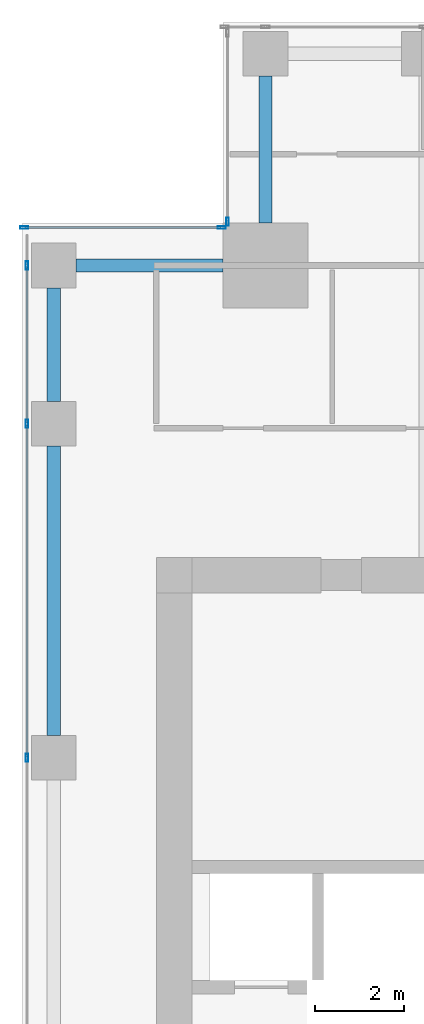
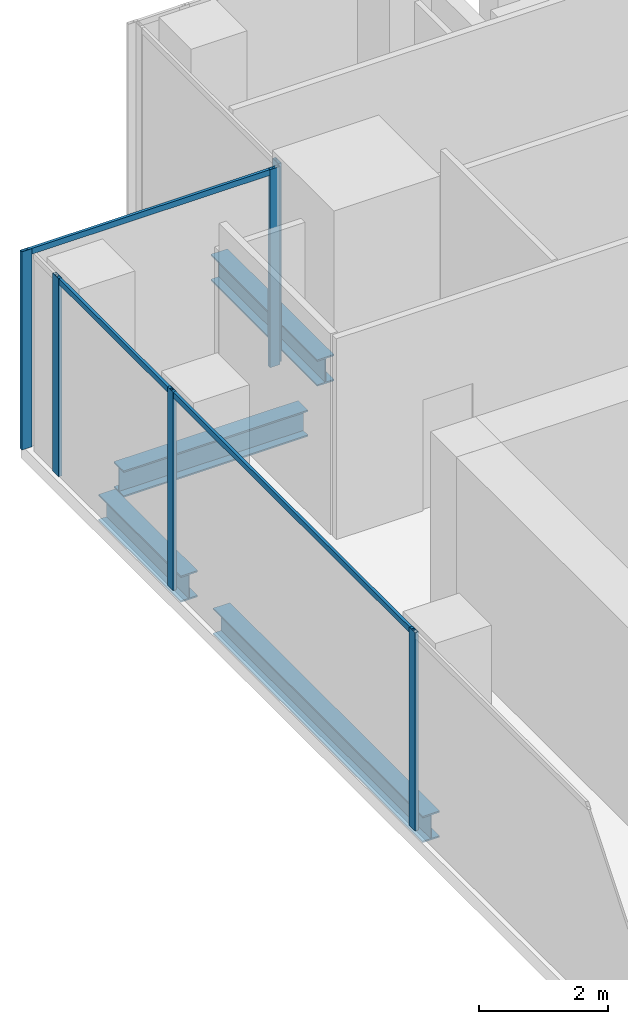
# One storey, part 19 of 38: 9 members, 4 beams, 3 elements without a shape of their own.
"""IFC4 building model written with IfcOpenShell, lengths in metres."""

from ifc_helpers import new_model, si_unit, direction, frame, origin, origin_2d, place, context, subcontext, project, spatial, hollow_rectangle, i_section, extrude, source, transform, mapped, material, material_profile, profile_set, type_object, element, aggregate, save


model = new_model("IFC4")

# Units and contexts
model_context = context("Model", 3, precision=1e-05, world=origin(), true_north=direction((0.0, 1.0)))
body_context = subcontext(model_context, "Body", "Model", "MODEL_VIEW")
ifc_project = project(units=[si_unit("LENGTHUNIT", "METRE"), si_unit("AREAUNIT", "SQUARE_METRE"), si_unit("VOLUMEUNIT", "CUBIC_METRE"), si_unit("PLANEANGLEUNIT", "RADIAN"), si_unit("MASSUNIT", "GRAM", prefix="KILO")], contexts=[model_context])

# Site, building, storey
site_placement = place(None, origin())
site = spatial("IfcSite", under=ifc_project, at=site_placement, CompositionType="ELEMENT")
building_placement = place(site_placement, origin())
building = spatial("IfcBuilding", under=site, at=building_placement, Name="Khomas Fold Tower", CompositionType="ELEMENT")
storey_placement = place(building_placement, frame((0.0, 0.0, 172.699951171875)))
storey = spatial("IfcBuildingStorey", under=building, at=storey_placement, Name="L37", CompositionType="ELEMENT", Elevation=172.699951171875)

# Beams
ifc_material_1 = material(Name="Steel S355", Category="steel")
ifc_material_profile_1 = material_profile(ifc_material_1, i_section(OverallWidth=0.300048828125, OverallDepth=0.5, WebThickness=0.014404296875, FlangeThickness=0.028076171875, at=origin_2d()), Name="HE 500 B")
ifc_profile_set_1 = profile_set([ifc_material_profile_1], Name="Steel S355")
beam_type = type_object("IfcBeamType", Name="HE 500 B spandrel SB3", PredefinedType="SPANDREL", material=ifc_profile_set_1)
shared_shape_1 = source(origin(), body_context, "Body", "SweptSolid", [
    extrude(i_section(OverallWidth=0.300048828125, OverallDepth=0.5, WebThickness=0.014404296875, FlangeThickness=0.028076171875, at=origin_2d()), origin(), (0.0, 0.0, 1.0), 2.550048828125),
])
beam_1_placement = place(storey_placement, frame((3.699951171875, 42.5, -0.5), z_axis=(0.0, 1.0, 0.0), x_axis=(-1.0, 0.0, 0.0)))
element("IfcBeam", 1, at=beam_1_placement, inside=storey, type_object=beam_type, Name="SB3", PredefinedType="SPANDREL", context=body_context, shape_type="MappedRepresentation", body=[
    mapped(shared_shape_1, transform((0.0, 0.0, 0.0))),
])
shared_shape_2 = source(origin(), body_context, "Body", "SweptSolid", [
    extrude(i_section(OverallWidth=0.300048828125, OverallDepth=0.5, WebThickness=0.014404296875, FlangeThickness=0.028076171875, at=origin_2d()), origin(), (0.0, 0.0, 1.0), 6.5),
])
beam_2_placement = place(storey_placement, frame((3.699951171875, 35.0, -0.5), z_axis=(0.0, 1.0, 0.0), x_axis=(-1.0, 0.0, 0.0)))
element("IfcBeam", 2, at=beam_2_placement, inside=storey, type_object=beam_type, Name="SB3", PredefinedType="SPANDREL", context=body_context, shape_type="MappedRepresentation", body=[
    mapped(shared_shape_2, transform((0.0, 0.0, 0.0))),
])
shared_shape_3 = source(origin(), body_context, "Body", "SweptSolid", [
    extrude(i_section(OverallWidth=0.300048828125, OverallDepth=0.5, WebThickness=0.014404296875, FlangeThickness=0.028076171875, at=origin_2d()), origin(), (0.0, 0.0, 1.0), 3.300048828125),
])
for number, where, z_axis, x_axis, name in (
    (3, (8.449951171875, 46.5, -0.5), (0.0, 1.0, 0.0), (-1.0, 0.0, 0.0), "SB3"),
    (4, (4.199951171875, 45.550048828125, -0.5), (1.0, 0.0, 0.0), (0.0, 1.0, 0.0), "SB3"),
):
    element("IfcBeam", number, at=place(storey_placement, frame(where, z_axis=z_axis, x_axis=x_axis)), inside=storey, type_object=beam_type, Name=name, PredefinedType="SPANDREL", context=body_context, shape_type="MappedRepresentation", body=[
        mapped(shared_shape_3, transform((0.0, 0.0, 0.0))),
    ])

# Curtain wall, member
ifc_material_2 = material(Name="Aluminium framed double glazing", Category="aluminium")
curtain_wall_type = type_object("IfcCurtainWallType", Name="SK-Unitised clear-glass wall, office floors CW2", PredefinedType="NOTDEFINED", material=ifc_material_2)
curtain_wall_1_placement = place(storey_placement, origin())
curtain_wall_1 = element("IfcCurtainWall", 5, at=curtain_wall_1_placement, inside=storey, type_object=curtain_wall_type, Name="CW2 corner return L37 16", PredefinedType="NOTDEFINED")
ifc_material_3 = material(Name="Aluminium", Category="aluminium")
ifc_material_profile_2 = material_profile(ifc_material_3, hollow_rectangle(XDim=0.06005859375, YDim=0.179931640625, WallThickness=0.00390625, at=origin_2d()), Name="SK-Unitised clear-glass wall, office floors mullion CW2-M")
ifc_profile_set_2 = profile_set([ifc_material_profile_2], Name="Aluminium")
member_type_1 = type_object("IfcMemberType", Name="SK-Unitised clear-glass wall, office floors mullion CW2-M", PredefinedType="MULLION", material=ifc_profile_set_2)
shared_shape_4 = source(origin(), body_context, "Body", "SweptSolid", [
    extrude(hollow_rectangle(XDim=0.06005859375, YDim=0.179931640625, WallThickness=0.00390625, at=origin_2d()), origin(), (0.0, 0.0, 1.0), 3.75),
])
member_1_placement = place(storey_placement, frame((7.60009765625, 46.530029296875, 0.0), z_axis=(0.0, 0.0, 1.0), x_axis=(1.0, 0.0, 0.0)))
member_1 = element("IfcMember", 6, at=member_1_placement, type_object=member_type_1, Name="CW2 mullion 2", PredefinedType="MULLION", context=body_context, shape_type="MappedRepresentation", body=[
    mapped(shared_shape_4, transform((0.0, 0.0, 0.0))),
])
aggregate(curtain_wall_1, [member_1])

# Curtain wall, members
curtain_wall_2_placement = place(storey_placement, origin())
curtain_wall_2 = element("IfcCurtainWall", 7, at=curtain_wall_2_placement, inside=storey, type_object=curtain_wall_type, Name="CW2 corner return L37 17", PredefinedType="NOTDEFINED")
member_2_placement = place(storey_placement, frame((7.469970703125, 46.39990234375, 0.0), z_axis=(0.0, 0.0, 1.0), x_axis=(0.0, -1.0, 0.0)))
member_2 = element("IfcMember", 8, at=member_2_placement, type_object=member_type_1, Name="CW2 mullion 1", PredefinedType="MULLION", context=body_context, shape_type="MappedRepresentation", body=[
    mapped(shared_shape_4, transform((0.0, 0.0, 0.0))),
])
member_3_placement = place(storey_placement, frame((3.030029296875, 46.39990234375, 0.0), z_axis=(0.0, 0.0, 1.0), x_axis=(0.0, -1.0, 0.0)))
member_3 = element("IfcMember", 9, at=member_3_placement, type_object=member_type_1, Name="CW2 mullion 2", PredefinedType="MULLION", context=body_context, shape_type="MappedRepresentation", body=[
    mapped(shared_shape_4, transform((0.0, 0.0, 0.0))),
])

curtain_wall_3_placement = place(storey_placement, origin())
curtain_wall_3 = element("IfcCurtainWall", 10, at=curtain_wall_3_placement, inside=storey, type_object=curtain_wall_type, Name="CW2 run L37 18-0", PredefinedType="NOTDEFINED")
member_4_placement = place(storey_placement, frame((3.10009765625, 45.550048828125, 0.0), z_axis=(0.0, 0.0, 1.0), x_axis=(1.0, 0.0, 0.0)))
member_4 = element("IfcMember", 11, at=member_4_placement, type_object=member_type_1, Name="CW2 mullion 2", PredefinedType="MULLION", context=body_context, shape_type="MappedRepresentation", body=[
    mapped(shared_shape_4, transform((0.0, 0.0, 0.0))),
])
member_5_placement = place(storey_placement, frame((3.10009765625, 42.0, 0.0), z_axis=(0.0, 0.0, 1.0), x_axis=(1.0, 0.0, 0.0)))
member_5 = element("IfcMember", 12, at=member_5_placement, type_object=member_type_1, Name="CW2 mullion 3", PredefinedType="MULLION", context=body_context, shape_type="MappedRepresentation", body=[
    mapped(shared_shape_4, transform((0.0, 0.0, 0.0))),
])
member_6_placement = place(storey_placement, frame((3.10009765625, 34.5, 0.0), z_axis=(0.0, 0.0, 1.0), x_axis=(1.0, 0.0, 0.0)))
member_6 = element("IfcMember", 13, at=member_6_placement, type_object=member_type_1, Name="CW2 mullion 4", PredefinedType="MULLION", context=body_context, shape_type="MappedRepresentation", body=[
    mapped(shared_shape_4, transform((0.0, 0.0, 0.0))),
])

# Member
ifc_material_4 = material(Name="Aluminium", Category="aluminium")
ifc_material_profile_3 = material_profile(ifc_material_4, hollow_rectangle(XDim=0.050048828125, YDim=0.110107421875, WallThickness=0.00390625, at=origin_2d()), Name="SK-Unitised clear-glass wall, office floors transom CW2-T")
ifc_profile_set_3 = profile_set([ifc_material_profile_3], Name="Aluminium")
member_type_2 = type_object("IfcMemberType", Name="SK-Unitised clear-glass wall, office floors transom CW2-T", PredefinedType="USERDEFINED", material=ifc_profile_set_3)
shared_shape_5 = source(origin(), body_context, "Body", "SweptSolid", [
    extrude(hollow_rectangle(XDim=0.050048828125, YDim=0.110107421875, WallThickness=0.00390625, at=origin_2d()), origin(), (0.0, 0.0, 1.0), 4.3798828125),
])
member_7_placement = place(storey_placement, frame((7.43994140625, 46.39990234375, 3.695068359375), z_axis=(-1.0, 0.0, 0.0), x_axis=(0.0, -1.0, 0.0)))
member_7 = element("IfcMember", 14, at=member_7_placement, type_object=member_type_2, Name="CW2 transom 1", ObjectType="TRANSOM", PredefinedType="USERDEFINED", context=body_context, shape_type="MappedRepresentation", body=[
    mapped(shared_shape_5, transform((0.0, 0.0, 0.0))),
])

aggregate(curtain_wall_2, [member_2, member_3, member_7])

shared_shape_6 = source(origin(), body_context, "Body", "SweptSolid", [
    extrude(hollow_rectangle(XDim=0.050048828125, YDim=0.110107421875, WallThickness=0.00390625, at=origin_2d()), origin(), (0.0, 0.0, 1.0), 3.489990234375),
])
member_8_placement = place(storey_placement, frame((3.10009765625, 45.52001953125, 3.695068359375), z_axis=(0.0, -1.0, 0.0), x_axis=(1.0, 0.0, 0.0)))
member_8 = element("IfcMember", 15, at=member_8_placement, type_object=member_type_2, Name="CW2 transom 2", ObjectType="TRANSOM", PredefinedType="USERDEFINED", context=body_context, shape_type="MappedRepresentation", body=[
    mapped(shared_shape_6, transform((0.0, 0.0, 0.0))),
])

shared_shape_7 = source(origin(), body_context, "Body", "SweptSolid", [
    extrude(hollow_rectangle(XDim=0.050048828125, YDim=0.110107421875, WallThickness=0.00390625, at=origin_2d()), origin(), (0.0, 0.0, 1.0), 7.43994140625),
])
member_9_placement = place(storey_placement, frame((3.10009765625, 41.969970703125, 3.695068359375), z_axis=(0.0, -1.0, 0.0), x_axis=(1.0, 0.0, 0.0)))
member_9 = element("IfcMember", 16, at=member_9_placement, type_object=member_type_2, Name="CW2 transom 3", ObjectType="TRANSOM", PredefinedType="USERDEFINED", context=body_context, shape_type="MappedRepresentation", body=[
    mapped(shared_shape_7, transform((0.0, 0.0, 0.0))),
])

aggregate(curtain_wall_3, [member_4, member_5, member_6, member_8, member_9])

save(model, "model.ifc")
